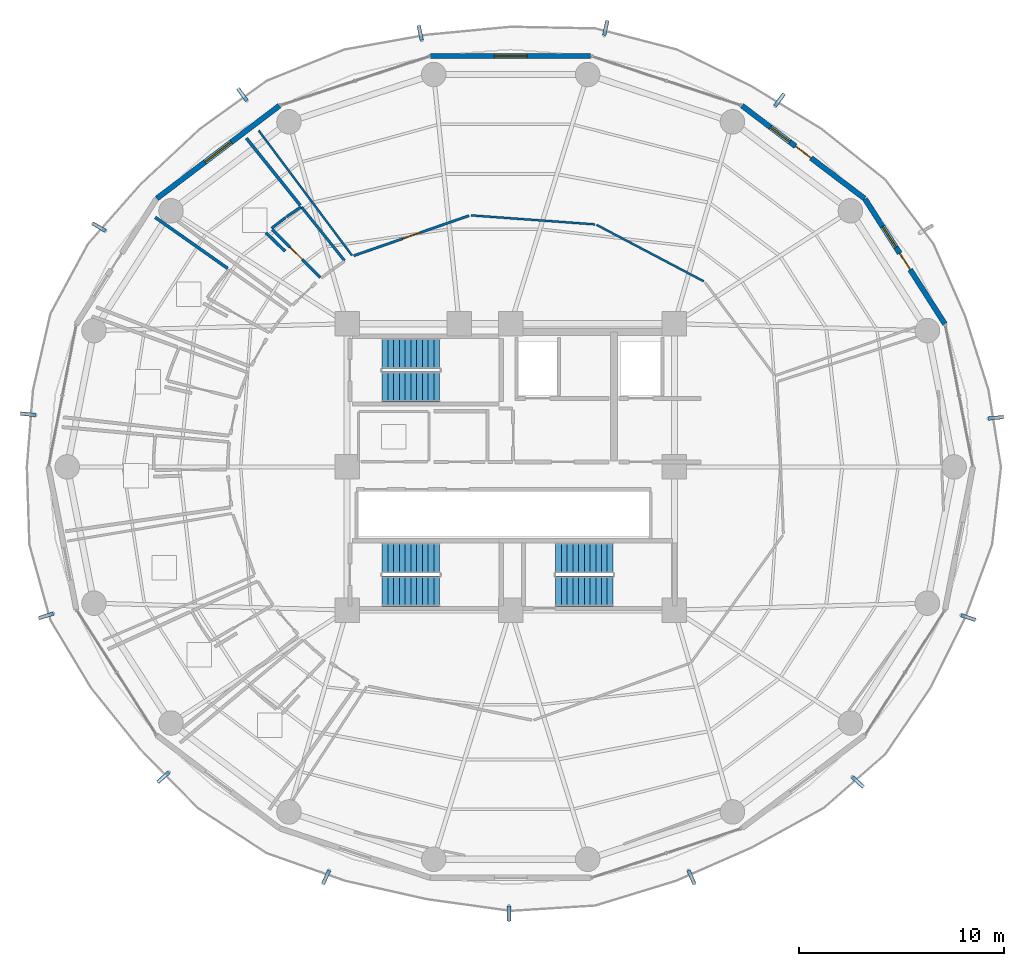
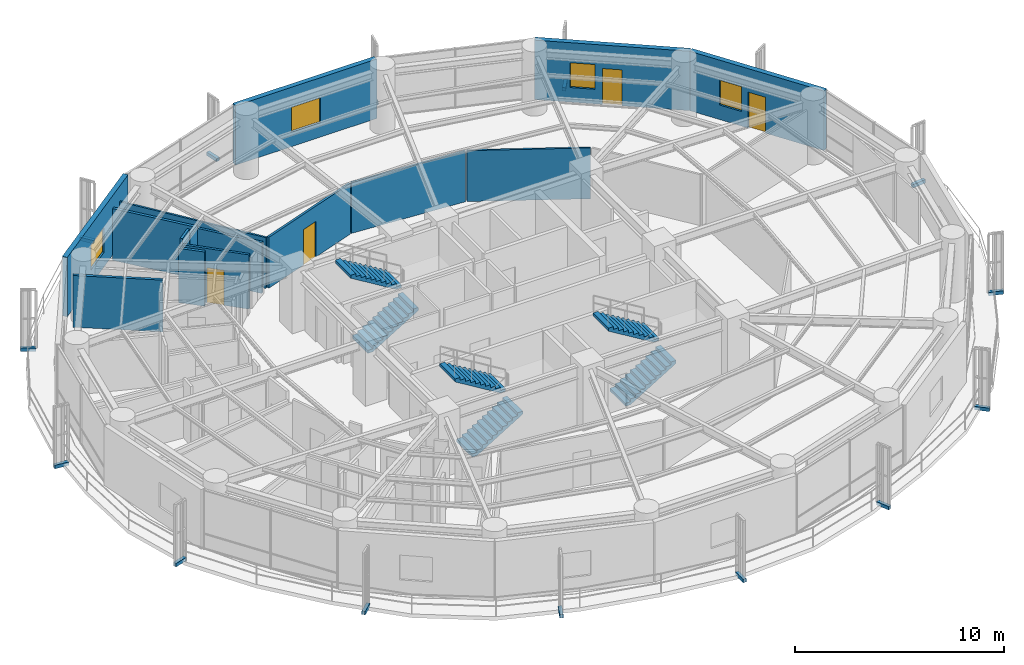
# One storey, part 24 of 28: 15 walls, 14 discrete accessories, 6 stair flights, 4 doors, 4 windows, 8 openings, 3 elements without a shape of their own.
"""IFC4 building model written with IfcOpenShell, lengths in metres."""

from ifc_helpers import new_model, si_unit, direction, frame, frame_2d, origin, origin_2d, place, context, subcontext, project, spatial, polyline, rectangle, outline, extrude, source, transform, mapped, material, layer, layer_set, type_object, element, fill, aggregate, save


model = new_model("IFC4")

# Units and contexts
model_context = context("Model", 3, precision=1e-05, world=origin(), true_north=direction((0.0, 1.0)))
body_context = subcontext(model_context, "Body", "Model", "MODEL_VIEW")
ifc_project = project(units=[si_unit("LENGTHUNIT", "METRE"), si_unit("AREAUNIT", "SQUARE_METRE"), si_unit("VOLUMEUNIT", "CUBIC_METRE"), si_unit("PLANEANGLEUNIT", "RADIAN"), si_unit("MASSUNIT", "GRAM", prefix="KILO")], contexts=[model_context])

# Site, building, storey
site_placement = place(None, origin())
site = spatial("IfcSite", under=ifc_project, at=site_placement, CompositionType="ELEMENT")
building_placement = place(site_placement, origin())
building = spatial("IfcBuilding", under=site, at=building_placement, Name="Kelanora Arch Commons", CompositionType="ELEMENT")
storey_placement = place(building_placement, frame((0.0, 0.0, 176.85009765625)))
storey = spatial("IfcBuildingStorey", under=building, at=storey_placement, Name="L45", CompositionType="ELEMENT", Elevation=176.85009765625)

# Walls
ifc_material_1 = material(Name="Autoclaved aerated concrete blockwork with fire plaster", Category="masonry")
ifc_layer_1 = layer(ifc_material_1, 0.14990234375)
ifc_layer_set_1 = layer_set([ifc_layer_1], Name="Autoclaved aerated concrete blockwork with fire plaster")
wall_type_1 = type_object("IfcWallType", Name="W-COMP-150", PredefinedType="PARTITIONING", material=ifc_layer_set_1)
wall_1_placement = place(storey_placement, frame((61.077880859375, 74.07275390625, 0.0), z_axis=(0.0, 0.0, 1.0), x_axis=(0.62540850869, -0.780297505608, 0.0)))
element("IfcWall", 1, at=wall_1_placement, inside=storey, type_object=wall_type_1, Name="Cluster Bedroom L45-01 Enclosure Partition 5", PredefinedType="PARTITIONING", context=body_context, shape_type="SweptSolid", body=[
    extrude(rectangle(XDim=4.21337890625, YDim=0.14990234375, at=frame_2d((2.106689453125, 0.0))), origin(), (0.0, 0.0, 1.0), 3.02490234375),
])
wall_2_placement = place(storey_placement, frame((62.038818359375, 69.44140625, 0.0), z_axis=(0.0, 0.0, 1.0), x_axis=(0.721428898705, -0.692488515511, 0.0)))
element("IfcWall", 2, at=wall_2_placement, inside=storey, type_object=wall_type_1, Name="Cluster Bedroom L45-01 Enclosure Partition 7", PredefinedType="PARTITIONING", context=body_context, shape_type="SweptSolid", body=[
    extrude(rectangle(XDim=1.290771484375, YDim=0.14990234375, at=frame_2d((0.6455078125, 0.0))), origin(), (0.0, 0.0, 1.0), 3.1748046875),
])
wall_3_placement = place(storey_placement, frame((56.61962890625, 70.200927734375, 0.0), z_axis=(0.0, 0.0, 1.0), x_axis=(0.817617957458, -0.575761127241, 0.0)))
element("IfcWall", 3, at=wall_3_placement, inside=storey, type_object=wall_type_1, Name="Cluster Bedroom L45-02 Enclosure Partition 5", PredefinedType="PARTITIONING", context=body_context, shape_type="SweptSolid", body=[
    extrude(rectangle(XDim=4.336669921875, YDim=0.14990234375, at=frame_2d((2.16845703125, 0.0))), origin(), (0.0, 0.0, 1.0), 3.02490234375),
])

# Wall, openings, door, window
ifc_material_2 = material(Name="Precast concrete C40/50 with terracotta rainscreen", Category="masonry")
ifc_layer_2 = layer(ifc_material_2, 0.260009765625)
ifc_layer_set_2 = layer_set([ifc_layer_2], Name="Precast concrete C40/50 with terracotta rainscreen")
wall_type_2 = type_object("IfcWallType", Name="W-EXT-TC", PredefinedType="SOLIDWALL", material=ifc_layer_set_2)
wall_4_placement = place(storey_placement, frame((95.22900390625, 64.98974609375, 0.0), z_axis=(0.0, 0.0, 1.0), x_axis=(-0.538801521808, 0.842432739213, 0.0)))
wall_4 = element("IfcWall", 4, at=wall_4_placement, inside=storey, type_object=wall_type_2, Name="Terracotta Exterior Wall L45-B01", PredefinedType="SOLIDWALL", context=body_context, shape_type="SweptSolid", body=[
    extrude(rectangle(XDim=7.25341796875, YDim=0.260009765625, at=frame_2d((3.626708984375, 0.0))), origin(), (0.0, 0.0, 1.0), 3.474853515625),
])
opening_1_placement = place(wall_4_placement, frame((3.152099609375, 0.0, 0.0)))
opening_1 = element("IfcOpeningElement", 5, at=opening_1_placement, cuts=wall_4, Name="Opening DB-01", PredefinedType="OPENING", context=body_context, shape_type="SweptSolid", body=[
    extrude(rectangle(XDim=0.949951171875, YDim=2.10009765625, at=frame_2d((0.47509765625, 1.050048828125))), frame((0.0, 0.14013671875, 0.0), z_axis=(0.0, -1.0, 0.0), x_axis=(1.0, 0.0, 0.0)), (0.0, 0.0, 1.0), 0.280029296875),
])
opening_2_placement = place(wall_4_placement, frame((4.451904296875, 0.0, 0.85009765625)))
opening_2 = element("IfcOpeningElement", 6, at=opening_2_placement, cuts=wall_4, Name="Opening WN-02", PredefinedType="OPENING", context=body_context, shape_type="SweptSolid", body=[
    extrude(rectangle(XDim=1.199951171875, YDim=1.449951171875, at=frame_2d((0.60009765625, 0.72509765625))), frame((0.0, 0.14013671875, 0.0), z_axis=(0.0, -1.0, 0.0), x_axis=(1.0, 0.0, 0.0)), (0.0, 0.0, 1.0), 0.280029296875),
])
ifc_material_3 = material(Name="Terracotta-aluminium thermally broken glazed balcony door", Category="masonry")
door_type_1 = type_object("IfcDoorType", Name="D-BAL-10", OperationType="NOTDEFINED", PredefinedType="DOOR", material=ifc_material_3)
door_1_placement = place(opening_1_placement, frame((0.949951171875, 0.0, 0.0), z_axis=(0.0, 0.0, 1.0), x_axis=(-1.0, 0.0, 0.0)))
door_1 = element("IfcDoor", 7, at=door_1_placement, inside=storey, type_object=door_type_1, Name="Wave Balcony Door L45-B01", OperationType="SINGLE_SWING_LEFT", OverallHeight=2.10009765625, OverallWidth=0.949951171875, PredefinedType="DOOR", context=body_context, shape_type="SweptSolid", body=[
    extrude(rectangle(XDim=0.949951171875, YDim=2.10009765625, at=frame_2d((0.47509765625, 1.050048828125))), frame((0.0, 0.02490234375, 0.0), z_axis=(0.0, -1.0, 0.0), x_axis=(1.0, 0.0, 0.0)), (0.0, 0.0, 1.0), 0.050048828125),
])
fill(opening_1, door_1)
ifc_material_4 = material(Name="Terracotta-anodised aluminium frame with operable awning sash", Category="masonry")
window_type_1 = type_object("IfcWindowType", Name="WIN-CL-12", PartitioningType="SINGLE_PANEL", PredefinedType="WINDOW", material=ifc_material_4)
window_1_placement = place(opening_2_placement, origin())
window_1 = element("IfcWindow", 8, at=window_1_placement, inside=storey, type_object=window_type_1, Name="Co-Living Operable Window L45-B01", OverallHeight=1.449951171875, OverallWidth=1.199951171875, PartitioningType="SINGLE_PANEL", PredefinedType="WINDOW", context=body_context, shape_type="SweptSolid", body=[
    extrude(rectangle(XDim=1.199951171875, YDim=1.449951171875, at=frame_2d((0.60009765625, 0.72509765625))), frame((0.0, 0.030029296875, 0.0), z_axis=(0.0, -1.0, 0.0), x_axis=(1.0, 0.0, 0.0)), (0.0, 0.0, 1.0), 0.06005859375),
])
fill(opening_2, window_1)

wall_5_placement = place(storey_placement, frame((91.300537109375, 71.1220703125, 0.0), z_axis=(0.0, 0.0, 1.0), x_axis=(-0.797163719609, 0.603763202042, 0.0)))
wall_5 = element("IfcWall", 9, at=wall_5_placement, inside=storey, type_object=wall_type_2, Name="Terracotta Exterior Wall L45-B02", PredefinedType="SOLIDWALL", context=body_context, shape_type="SweptSolid", body=[
    extrude(rectangle(XDim=7.51220703125, YDim=0.260009765625, at=frame_2d((3.756103515625, 0.0))), origin(), (0.0, 0.0, 1.0), 3.474853515625),
])
opening_3_placement = place(wall_5_placement, frame((3.281005859375, 0.0, 0.0)))
opening_3 = element("IfcOpeningElement", 10, at=opening_3_placement, cuts=wall_5, Name="Opening DB-01", PredefinedType="OPENING", context=body_context, shape_type="SweptSolid", body=[
    extrude(rectangle(XDim=0.949951171875, YDim=2.10009765625, at=frame_2d((0.47509765625, 1.050048828125))), frame((0.0, 0.14013671875, 0.0), z_axis=(0.0, -1.0, 0.0), x_axis=(1.0, 0.0, 0.0)), (0.0, 0.0, 1.0), 0.280029296875),
])
opening_4_placement = place(wall_5_placement, frame((4.5810546875, 0.0, 0.85009765625)))
opening_4 = element("IfcOpeningElement", 11, at=opening_4_placement, cuts=wall_5, Name="Opening WN-02", PredefinedType="OPENING", context=body_context, shape_type="SweptSolid", body=[
    extrude(rectangle(XDim=1.199951171875, YDim=1.449951171875, at=frame_2d((0.60009765625, 0.72509765625))), frame((0.0, 0.14013671875, 0.0), z_axis=(0.0, -1.0, 0.0), x_axis=(1.0, 0.0, 0.0)), (0.0, 0.0, 1.0), 0.280029296875),
])
door_2_placement = place(opening_3_placement, frame((0.949951171875, 0.0, 0.0), z_axis=(0.0, 0.0, 1.0), x_axis=(-1.0, 0.0, 0.0)))
door_2 = element("IfcDoor", 12, at=door_2_placement, inside=storey, type_object=door_type_1, Name="Wave Balcony Door L45-B02", OperationType="SINGLE_SWING_RIGHT", OverallHeight=2.10009765625, OverallWidth=0.949951171875, PredefinedType="DOOR", context=body_context, shape_type="SweptSolid", body=[
    extrude(rectangle(XDim=0.949951171875, YDim=2.10009765625, at=frame_2d((0.47509765625, 1.050048828125))), frame((0.0, 0.02490234375, 0.0), z_axis=(0.0, -1.0, 0.0), x_axis=(1.0, 0.0, 0.0)), (0.0, 0.0, 1.0), 0.050048828125),
])
fill(opening_3, door_2)
window_2_placement = place(opening_4_placement, origin())
window_2 = element("IfcWindow", 13, at=window_2_placement, inside=storey, type_object=window_type_1, Name="Co-Living Operable Window L45-B02", OverallHeight=1.449951171875, OverallWidth=1.199951171875, PartitioningType="SINGLE_PANEL", PredefinedType="WINDOW", context=body_context, shape_type="SweptSolid", body=[
    extrude(rectangle(XDim=1.199951171875, YDim=1.449951171875, at=frame_2d((0.60009765625, 0.72509765625))), frame((0.0, 0.030029296875, 0.0), z_axis=(0.0, -1.0, 0.0), x_axis=(1.0, 0.0, 0.0)), (0.0, 0.0, 1.0), 0.06005859375),
])
fill(opening_4, window_2)

# Wall, opening, window
wall_6_placement = place(storey_placement, frame((77.909423828125, 78.090087890625, 0.0), z_axis=(0.0, 0.0, 1.0), x_axis=(-1.0, 0.0, 0.0)))
wall_6 = element("IfcWall", 14, at=wall_6_placement, inside=storey, type_object=wall_type_2, Name="Terracotta Exterior Wall L45-B04", PredefinedType="SOLIDWALL", context=body_context, shape_type="SweptSolid", body=[
    extrude(rectangle(XDim=7.81884765625, YDim=0.260009765625, at=frame_2d((3.909423828125, 0.0))), origin(), (0.0, 0.0, 1.0), 3.474853515625),
])
opening_5_placement = place(wall_6_placement, frame((3.10888671875, 0.0, 0.85009765625)))
opening_5 = element("IfcOpeningElement", 15, at=opening_5_placement, cuts=wall_6, Name="Opening WN-01", PredefinedType="OPENING", context=body_context, shape_type="SweptSolid", body=[
    extrude(rectangle(XDim=1.60009765625, YDim=1.449951171875, at=frame_2d((0.800048828125, 0.72509765625))), frame((0.0, 0.14013671875, 0.0), z_axis=(0.0, -1.0, 0.0), x_axis=(1.0, 0.0, 0.0)), (0.0, 0.0, 1.0), 0.280029296875),
])
ifc_material_5 = material(Name="Terracotta-anodised aluminium frame with operable low-E glazing", Category="masonry")
window_type_2 = type_object("IfcWindowType", Name="WIN-CL-18", PartitioningType="DOUBLE_PANEL_VERTICAL", PredefinedType="WINDOW", material=ifc_material_5)
window_3_placement = place(opening_5_placement, origin())
window_3 = element("IfcWindow", 16, at=window_3_placement, inside=storey, type_object=window_type_2, Name="Co-Living Operable Window L45-B04", OverallHeight=1.449951171875, OverallWidth=1.60009765625, PartitioningType="SINGLE_PANEL", PredefinedType="WINDOW", context=body_context, shape_type="SweptSolid", body=[
    extrude(rectangle(XDim=1.60009765625, YDim=1.449951171875, at=frame_2d((0.800048828125, 0.72509765625))), frame((0.0, 0.030029296875, 0.0), z_axis=(0.0, -1.0, 0.0), x_axis=(1.0, 0.0, 0.0)), (0.0, 0.0, 1.0), 0.06005859375),
])
fill(opening_5, window_3)

wall_7_placement = place(storey_placement, frame((62.68798828125, 75.65771484375, 0.0), z_axis=(0.0, 0.0, 1.0), x_axis=(-0.797163719609, -0.603763202042, 0.0)))
wall_7 = element("IfcWall", 17, at=wall_7_placement, inside=storey, type_object=wall_type_2, Name="Terracotta Exterior Wall L45-B06", PredefinedType="SOLIDWALL", context=body_context, shape_type="SweptSolid", body=[
    extrude(rectangle(XDim=7.51220703125, YDim=0.260009765625, at=frame_2d((3.756103515625, 0.0))), origin(), (0.0, 0.0, 1.0), 3.474853515625),
])
opening_6_placement = place(wall_7_placement, frame((2.9560546875, 0.0, 0.85009765625)))
opening_6 = element("IfcOpeningElement", 18, at=opening_6_placement, cuts=wall_7, Name="Opening WN-01", PredefinedType="OPENING", context=body_context, shape_type="SweptSolid", body=[
    extrude(rectangle(XDim=1.60009765625, YDim=1.449951171875, at=frame_2d((0.800048828125, 0.72509765625))), frame((0.0, 0.14013671875, 0.0), z_axis=(0.0, -1.0, 0.0), x_axis=(1.0, 0.0, 0.0)), (0.0, 0.0, 1.0), 0.280029296875),
])
window_4_placement = place(opening_6_placement, origin())
window_4 = element("IfcWindow", 19, at=window_4_placement, inside=storey, type_object=window_type_2, Name="Co-Living Operable Window L45-B06", OverallHeight=1.449951171875, OverallWidth=1.60009765625, PartitioningType="SINGLE_PANEL", PredefinedType="WINDOW", context=body_context, shape_type="SweptSolid", body=[
    extrude(rectangle(XDim=1.60009765625, YDim=1.449951171875, at=frame_2d((0.800048828125, 0.72509765625))), frame((0.0, 0.030029296875, 0.0), z_axis=(0.0, -1.0, 0.0), x_axis=(1.0, 0.0, 0.0)), (0.0, 0.0, 1.0), 0.06005859375),
])
fill(opening_6, window_4)

# Walls
ifc_material_6 = material(Name="Lightweight fire-rated acoustic stud partition")
ifc_layer_3 = layer(ifc_material_6, 0.10009765625)
ifc_layer_set_3 = layer_set([ifc_layer_3], Name="Lightweight fire-rated acoustic stud partition")
wall_type_3 = type_object("IfcWallType", Name="W-PART-100", PredefinedType="PARTITIONING", material=ifc_layer_set_3)
wall_8_placement = place(storey_placement, frame((83.440673828125, 67.072509765625, 0.0), z_axis=(0.0, 0.0, 1.0), x_axis=(-0.884731495881, 0.466101040759, 0.0)))
element("IfcWall", 20, at=wall_8_placement, inside=storey, type_object=wall_type_3, Name="North-East Shared Cluster Kitchen L45 Enclosure Partition 2", PredefinedType="PARTITIONING", context=body_context, shape_type="SweptSolid", body=[
    extrude(rectangle(XDim=5.929931640625, YDim=0.10009765625, at=frame_2d((2.96484375, 0.0))), origin(), (0.0, 0.0, 1.0), 2.974853515625),
])
wall_9_placement = place(storey_placement, frame((78.119140625, 69.85791015625, 0.0), z_axis=(0.0, 0.0, 1.0), x_axis=(-0.997375895235, 0.072396986155, 0.0)))
element("IfcWall", 21, at=wall_9_placement, inside=storey, type_object=wall_type_3, Name="North-East Shared Cluster Kitchen L45 Enclosure Partition 3", PredefinedType="PARTITIONING", context=body_context, shape_type="SweptSolid", body=[
    extrude(rectangle(XDim=6.080078125, YDim=0.10009765625, at=frame_2d((3.0400390625, 0.0))), origin(), (0.0, 0.0, 1.0), 2.974853515625),
])
wall_10_placement = place(storey_placement, frame((66.2421875, 68.3369140625, 0.0), z_axis=(0.0, 0.0, 1.0), x_axis=(-0.598416617992, 0.801185091793, 0.0)))
element("IfcWall", 22, at=wall_10_placement, inside=storey, type_object=wall_type_3, Name="North-East Shared Cluster Kitchen L45 Enclosure Partition 5", PredefinedType="PARTITIONING", context=body_context, shape_type="SweptSolid", body=[
    extrude(rectangle(XDim=7.628662109375, YDim=0.10009765625, at=frame_2d((3.814453125, 0.0))), origin(), (0.0, 0.0, 1.0), 2.974853515625),
])

# Wall, opening, door
ifc_material_7 = material(Name="Acoustic twin-stud fire-rated gypsum partition")
ifc_layer_4 = layer(ifc_material_7, 0.1201171875)
ifc_layer_set_4 = layer_set([ifc_layer_4], Name="Acoustic twin-stud fire-rated gypsum partition")
wall_type_4 = type_object("IfcWallType", Name="W-PART-120", PredefinedType="PARTITIONING", material=ifc_layer_set_4)
wall_11_placement = place(storey_placement, frame((71.958251953125, 70.28125, 0.0), z_axis=(0.0, 0.0, 1.0), x_axis=(-0.944685464341, -0.327977702692, 0.0)))
wall_11 = element("IfcWall", 23, at=wall_11_placement, inside=storey, type_object=wall_type_4, Name="North-East Shared Cluster Kitchen L45 Entry Partition", PredefinedType="PARTITIONING", context=body_context, shape_type="SweptSolid", body=[
    extrude(rectangle(XDim=5.965576171875, YDim=0.1201171875, at=frame_2d((2.98291015625, 0.0))), origin(), (0.0, 0.0, 1.0), 2.974853515625),
])
opening_7_placement = place(wall_11_placement, frame((2.532958984375, 0.0, 0.0)))
opening_7 = element("IfcOpeningElement", 24, at=opening_7_placement, cuts=wall_11, Name="Opening D-RM1", PredefinedType="OPENING", context=body_context, shape_type="SweptSolid", body=[
    extrude(rectangle(XDim=0.89990234375, YDim=2.080078125, at=frame_2d((0.449951171875, 1.0400390625))), frame((0.0, 0.070068359375, 0.0), z_axis=(0.0, -1.0, 0.0), x_axis=(1.0, 0.0, 0.0)), (0.0, 0.0, 1.0), 0.14013671875),
])
ifc_material_8 = material(Name="Acoustic fire-rated timber study and lounge door", Category="wood")
door_type_2 = type_object("IfcDoorType", Name="D-ROOM-90", OperationType="NOTDEFINED", PredefinedType="DOOR", material=ifc_material_8)
door_3_placement = place(opening_7_placement, origin())
door_3 = element("IfcDoor", 25, at=door_3_placement, inside=storey, type_object=door_type_2, Name="North-East Shared Cluster Kitchen L45 Door", OperationType="SINGLE_SWING_LEFT", OverallHeight=2.080078125, OverallWidth=0.89990234375, PredefinedType="DOOR", context=body_context, shape_type="SweptSolid", body=[
    extrude(rectangle(XDim=0.89990234375, YDim=2.080078125, at=frame_2d((0.449951171875, 1.0400390625))), frame((0.0, 0.02490234375, 0.0), z_axis=(0.0, -1.0, 0.0), x_axis=(1.0, 0.0, 0.0)), (0.0, 0.0, 1.0), 0.050048828125),
])
fill(opening_7, door_3)

ifc_material_9 = material(Name="Moisture-resistant fire-rated cement-board plumbing wall")
ifc_layer_5 = layer(ifc_material_9, 0.1298828125)
ifc_layer_set_5 = layer_set([ifc_layer_5], Name="Moisture-resistant fire-rated cement-board plumbing wall")
wall_type_5 = type_object("IfcWallType", Name="W-WET-120", PredefinedType="PLUMBINGWALL", material=ifc_layer_set_5)
wall_12_placement = place(storey_placement, frame((64.6865234375, 67.266357421875, 0.0), z_axis=(0.0, 0.0, 1.0), x_axis=(-0.707694933746, 0.706518139011, 0.0)))
wall_12 = element("IfcWall", 26, at=wall_12_placement, inside=storey, type_object=wall_type_5, Name="En-Suite Shower WC L45-01 Entry Partition", PredefinedType="PLUMBINGWALL", context=body_context, shape_type="SweptSolid", body=[
    extrude(rectangle(XDim=3.3193359375, YDim=0.1298828125, at=frame_2d((1.65966796875, 0.0))), origin(), (0.0, 0.0, 1.0), 3.1748046875),
])
opening_8_placement = place(wall_12_placement, frame((1.22998046875, 0.0, 0.0)))
opening_8 = element("IfcOpeningElement", 27, at=opening_8_placement, cuts=wall_12, Name="Opening D-BT1", PredefinedType="OPENING", context=body_context, shape_type="SweptSolid", body=[
    extrude(rectangle(XDim=0.860107421875, YDim=2.050048828125, at=frame_2d((0.43017578125, 1.02490234375))), frame((0.0, 0.074951171875, 0.0), z_axis=(0.0, -1.0, 0.0), x_axis=(1.0, 0.0, 0.0)), (0.0, 0.0, 1.0), 0.14990234375),
])
ifc_material_10 = material(Name="Moisture-sealed fire-rated accessible bathroom door")
door_type_3 = type_object("IfcDoorType", Name="D-BATH-85", OperationType="NOTDEFINED", PredefinedType="DOOR", material=ifc_material_10)
door_4_placement = place(opening_8_placement, origin())
door_4 = element("IfcDoor", 28, at=door_4_placement, inside=storey, type_object=door_type_3, Name="En-Suite Shower WC L45-01 Door", OperationType="SINGLE_SWING_RIGHT", OverallHeight=2.050048828125, OverallWidth=0.860107421875, PredefinedType="DOOR", context=body_context, shape_type="SweptSolid", body=[
    extrude(rectangle(XDim=0.860107421875, YDim=2.050048828125, at=frame_2d((0.43017578125, 1.02490234375))), frame((0.0, 0.02490234375, 0.0), z_axis=(0.0, -1.0, 0.0), x_axis=(1.0, 0.0, 0.0)), (0.0, 0.0, 1.0), 0.050048828125),
])
fill(opening_8, door_4)

# Walls
wall_13_placement = place(storey_placement, frame((62.310791015625, 69.666259765625, 0.0), z_axis=(0.0, 0.0, 1.0), x_axis=(0.792382565467, 0.610024483069, 0.0)))
element("IfcWall", 29, at=wall_13_placement, inside=storey, type_object=wall_type_5, Name="En-Suite Shower WC L45-01 Enclosure Partition 4", PredefinedType="PLUMBINGWALL", context=body_context, shape_type="SweptSolid", body=[
    extrude(rectangle(XDim=0.86474609375, YDim=0.1298828125, at=frame_2d((0.432373046875, 0.0))), origin(), (0.0, 0.0, 1.0), 3.47998046875),
])
wall_14_placement = place(storey_placement, frame((63.028564453125, 70.21728515625, 0.0), z_axis=(0.0, 0.0, 1.0), x_axis=(0.823353055732, 0.567529510789, 0.0)))
element("IfcWall", 30, at=wall_14_placement, inside=storey, type_object=wall_type_5, Name="En-Suite Shower WC L45-01 Enclosure Partition 5", PredefinedType="PLUMBINGWALL", context=body_context, shape_type="SweptSolid", body=[
    extrude(rectangle(XDim=0.869384765625, YDim=0.1298828125, at=frame_2d((0.4345703125, 0.0))), origin(), (0.0, 0.0, 1.0), 3.1748046875),
])
wall_15_placement = place(storey_placement, frame((63.7734375, 70.706298828125, 0.0), z_axis=(0.0, 0.0, 1.0), x_axis=(0.625916574892, -0.779890018704, 0.0)))
element("IfcWall", 31, at=wall_15_placement, inside=storey, type_object=wall_type_5, Name="En-Suite Shower WC L45-01 Enclosure Partition 6", PredefinedType="PLUMBINGWALL", context=body_context, shape_type="SweptSolid", body=[
    extrude(rectangle(XDim=3.361572265625, YDim=0.1298828125, at=frame_2d((1.6806640625, 0.0))), origin(), (0.0, 0.0, 1.0), 2.974853515625),
])

# Stair, stair flights
ifc_material_11 = material(Name="Concrete C40/50", Category="concrete")
stair_type = type_object("IfcStairType", Name="STR-DL-375", PredefinedType="HALF_TURN_STAIR", material=ifc_material_11)
stair_1_placement = place(storey_placement, origin())
stair_1 = element("IfcStair", 32, at=stair_1_placement, inside=storey, type_object=stair_type, Name="L45 ST-T1", PredefinedType="HALF_TURN_STAIR")
stair_flight_type = type_object("IfcStairFlightType", Name="FLT-DL-375", PredefinedType="STRAIGHT", material=ifc_material_11)
stair_flight_1_placement = place(storey_placement, frame((67.719970703125, 61.919921875, 0.0), z_axis=(0.0, 0.0, 1.0), x_axis=(1.0, 0.0, 0.0)))
stair_flight_1 = element("IfcStairFlight", 33, at=stair_flight_1_placement, type_object=stair_flight_type, Name="ST-T1 flight 1", NumberOfRisers=11, NumberOfTreads=10, PredefinedType="STRAIGHT", RiserHeight=0.170454545, TreadLength=0.28, context=body_context, shape_type="SweptSolid", body=[
    extrude(outline(polyline([(0.0, 0.0), (0.0, 0.17041015625), (0.280029296875, 0.17041015625), (0.280029296875, 0.3408203125), (0.56005859375, 0.3408203125), (0.56005859375, 0.511474609375), (0.840087890625, 0.511474609375), (0.840087890625, 0.681884765625), (1.1201171875, 0.681884765625), (1.1201171875, 0.852294921875), (1.39990234375, 0.852294921875), (1.39990234375, 1.022705078125), (1.679931640625, 1.022705078125), (1.679931640625, 1.193115234375), (1.9599609375, 1.193115234375), (1.9599609375, 1.363525390625), (2.239990234375, 1.363525390625), (2.239990234375, 1.5341796875), (2.52001953125, 1.5341796875), (2.52001953125, 1.70458984375), (2.800048828125, 1.70458984375), (2.800048828125, 1.875), (2.800048828125, 1.529052734375), (0.288330078125, 0.0), (0.0, 0.0)])), frame((0.0, 0.739990234375, 0.0), z_axis=(0.0, -1.0, 0.0), x_axis=(1.0, 0.0, 0.0)), (0.0, 0.0, 1.0), 1.47998046875),
])
stair_flight_2_placement = place(storey_placement, frame((70.52001953125, 63.550048828125, 1.875), z_axis=(0.0, 0.0, 1.0), x_axis=(-1.0, 0.0, 0.0)))
stair_flight_2 = element("IfcStairFlight", 34, at=stair_flight_2_placement, type_object=stair_flight_type, Name="ST-T1 flight 2", NumberOfRisers=11, NumberOfTreads=10, PredefinedType="STRAIGHT", RiserHeight=0.170454545, TreadLength=0.28, context=body_context, shape_type="SweptSolid", body=[
    extrude(outline(polyline([(0.0, 0.0), (0.0, 0.17041015625), (0.280029296875, 0.17041015625), (0.280029296875, 0.3408203125), (0.56005859375, 0.3408203125), (0.56005859375, 0.511474609375), (0.840087890625, 0.511474609375), (0.840087890625, 0.681884765625), (1.1201171875, 0.681884765625), (1.1201171875, 0.852294921875), (1.39990234375, 0.852294921875), (1.39990234375, 1.022705078125), (1.679931640625, 1.022705078125), (1.679931640625, 1.193115234375), (1.9599609375, 1.193115234375), (1.9599609375, 1.363525390625), (2.239990234375, 1.363525390625), (2.239990234375, 1.5341796875), (2.52001953125, 1.5341796875), (2.52001953125, 1.70458984375), (2.800048828125, 1.70458984375), (2.800048828125, 1.875), (2.800048828125, 1.529052734375), (0.288330078125, 0.0), (0.0, 0.0)])), frame((0.0, 0.739990234375, 0.0), z_axis=(0.0, -1.0, 0.0), x_axis=(1.0, 0.0, 0.0)), (0.0, 0.0, 1.0), 1.47998046875),
])
aggregate(stair_1, [stair_flight_1, stair_flight_2])

stair_2_placement = place(storey_placement, origin())
stair_2 = element("IfcStair", 35, at=stair_2_placement, inside=storey, type_object=stair_type, Name="L45 ST-T2", PredefinedType="HALF_TURN_STAIR")
stair_flight_3_placement = place(storey_placement, frame((76.199951171875, 51.919921875, 0.0), z_axis=(0.0, 0.0, 1.0), x_axis=(1.0, 0.0, 0.0)))
stair_flight_3 = element("IfcStairFlight", 36, at=stair_flight_3_placement, type_object=stair_flight_type, Name="ST-T2 flight 1", NumberOfRisers=11, NumberOfTreads=10, PredefinedType="STRAIGHT", RiserHeight=0.170454545, TreadLength=0.28, context=body_context, shape_type="SweptSolid", body=[
    extrude(outline(polyline([(0.0, 0.0), (0.0, 0.17041015625), (0.280029296875, 0.17041015625), (0.280029296875, 0.3408203125), (0.56005859375, 0.3408203125), (0.56005859375, 0.511474609375), (0.840087890625, 0.511474609375), (0.840087890625, 0.681884765625), (1.1201171875, 0.681884765625), (1.1201171875, 0.852294921875), (1.39990234375, 0.852294921875), (1.39990234375, 1.022705078125), (1.679931640625, 1.022705078125), (1.679931640625, 1.193115234375), (1.9599609375, 1.193115234375), (1.9599609375, 1.363525390625), (2.239990234375, 1.363525390625), (2.239990234375, 1.5341796875), (2.52001953125, 1.5341796875), (2.52001953125, 1.70458984375), (2.800048828125, 1.70458984375), (2.800048828125, 1.875), (2.800048828125, 1.529052734375), (0.288330078125, 0.0), (0.0, 0.0)])), frame((0.0, 0.739990234375, 0.0), z_axis=(0.0, -1.0, 0.0), x_axis=(1.0, 0.0, 0.0)), (0.0, 0.0, 1.0), 1.47998046875),
])
stair_flight_4_placement = place(storey_placement, frame((79.0, 53.550048828125, 1.875), z_axis=(0.0, 0.0, 1.0), x_axis=(-1.0, 0.0, 0.0)))
stair_flight_4 = element("IfcStairFlight", 37, at=stair_flight_4_placement, type_object=stair_flight_type, Name="ST-T2 flight 2", NumberOfRisers=11, NumberOfTreads=10, PredefinedType="STRAIGHT", RiserHeight=0.170454545, TreadLength=0.28, context=body_context, shape_type="SweptSolid", body=[
    extrude(outline(polyline([(0.0, 0.0), (0.0, 0.17041015625), (0.280029296875, 0.17041015625), (0.280029296875, 0.3408203125), (0.56005859375, 0.3408203125), (0.56005859375, 0.511474609375), (0.840087890625, 0.511474609375), (0.840087890625, 0.681884765625), (1.1201171875, 0.681884765625), (1.1201171875, 0.852294921875), (1.39990234375, 0.852294921875), (1.39990234375, 1.022705078125), (1.679931640625, 1.022705078125), (1.679931640625, 1.193115234375), (1.9599609375, 1.193115234375), (1.9599609375, 1.363525390625), (2.239990234375, 1.363525390625), (2.239990234375, 1.5341796875), (2.52001953125, 1.5341796875), (2.52001953125, 1.70458984375), (2.800048828125, 1.70458984375), (2.800048828125, 1.875), (2.800048828125, 1.529052734375), (0.288330078125, 0.0), (0.0, 0.0)])), frame((0.0, 0.739990234375, 0.0), z_axis=(0.0, -1.0, 0.0), x_axis=(1.0, 0.0, 0.0)), (0.0, 0.0, 1.0), 1.47998046875),
])
aggregate(stair_2, [stair_flight_3, stair_flight_4])

stair_3_placement = place(storey_placement, origin())
stair_3 = element("IfcStair", 38, at=stair_3_placement, inside=storey, type_object=stair_type, Name="L45 ST-T3", PredefinedType="HALF_TURN_STAIR")
stair_flight_5_placement = place(storey_placement, frame((67.719970703125, 51.919921875, 0.0), z_axis=(0.0, 0.0, 1.0), x_axis=(1.0, 0.0, 0.0)))
stair_flight_5 = element("IfcStairFlight", 39, at=stair_flight_5_placement, type_object=stair_flight_type, Name="ST-T3 flight 1", NumberOfRisers=11, NumberOfTreads=10, PredefinedType="STRAIGHT", RiserHeight=0.170454545, TreadLength=0.28, context=body_context, shape_type="SweptSolid", body=[
    extrude(outline(polyline([(0.0, 0.0), (0.0, 0.17041015625), (0.280029296875, 0.17041015625), (0.280029296875, 0.3408203125), (0.56005859375, 0.3408203125), (0.56005859375, 0.511474609375), (0.840087890625, 0.511474609375), (0.840087890625, 0.681884765625), (1.1201171875, 0.681884765625), (1.1201171875, 0.852294921875), (1.39990234375, 0.852294921875), (1.39990234375, 1.022705078125), (1.679931640625, 1.022705078125), (1.679931640625, 1.193115234375), (1.9599609375, 1.193115234375), (1.9599609375, 1.363525390625), (2.239990234375, 1.363525390625), (2.239990234375, 1.5341796875), (2.52001953125, 1.5341796875), (2.52001953125, 1.70458984375), (2.800048828125, 1.70458984375), (2.800048828125, 1.875), (2.800048828125, 1.529052734375), (0.288330078125, 0.0), (0.0, 0.0)])), frame((0.0, 0.739990234375, 0.0), z_axis=(0.0, -1.0, 0.0), x_axis=(1.0, 0.0, 0.0)), (0.0, 0.0, 1.0), 1.47998046875),
])
stair_flight_6_placement = place(storey_placement, frame((70.52001953125, 53.550048828125, 1.875), z_axis=(0.0, 0.0, 1.0), x_axis=(-1.0, 0.0, 0.0)))
stair_flight_6 = element("IfcStairFlight", 40, at=stair_flight_6_placement, type_object=stair_flight_type, Name="ST-T3 flight 2", NumberOfRisers=11, NumberOfTreads=10, PredefinedType="STRAIGHT", RiserHeight=0.170454545, TreadLength=0.28, context=body_context, shape_type="SweptSolid", body=[
    extrude(outline(polyline([(0.0, 0.0), (0.0, 0.17041015625), (0.280029296875, 0.17041015625), (0.280029296875, 0.3408203125), (0.56005859375, 0.3408203125), (0.56005859375, 0.511474609375), (0.840087890625, 0.511474609375), (0.840087890625, 0.681884765625), (1.1201171875, 0.681884765625), (1.1201171875, 0.852294921875), (1.39990234375, 0.852294921875), (1.39990234375, 1.022705078125), (1.679931640625, 1.022705078125), (1.679931640625, 1.193115234375), (1.9599609375, 1.193115234375), (1.9599609375, 1.363525390625), (2.239990234375, 1.363525390625), (2.239990234375, 1.5341796875), (2.52001953125, 1.5341796875), (2.52001953125, 1.70458984375), (2.800048828125, 1.70458984375), (2.800048828125, 1.875), (2.800048828125, 1.529052734375), (0.288330078125, 0.0), (0.0, 0.0)])), frame((0.0, 0.739990234375, 0.0), z_axis=(0.0, -1.0, 0.0), x_axis=(1.0, 0.0, 0.0)), (0.0, 0.0, 1.0), 1.47998046875),
])
aggregate(stair_3, [stair_flight_5, stair_flight_6])

# Discrete accessories
ifc_material_12 = material(Name="Stainless steel 316 marine fin bracket", Category="steel")
discrete_accessory_type = type_object("IfcDiscreteAccessoryType", Name="ACC-FIN-BRK", PredefinedType="BRACKET", material=ifc_material_12)
shared_shape = source(origin(), body_context, "Body", "SweptSolid", [
    extrude(rectangle(XDim=0.735107421875, YDim=0.179931640625, at=origin_2d()), origin(), (0.0, 0.0, 1.0), 0.199951171875),
])
for number, where, z_axis, x_axis, name in (
    (41, (96.37353515625, 50.634033203125, -0.16015625), (0.0, 0.0, 1.0), (0.949862968197, -0.312666502279, 0.0), "Sweeping Fin Cantilever Spine Bracket L45-00"),
    (42, (97.724853515625, 60.400390625, -0.16015625), (0.0, 0.0, 1.0), (0.994915923519, 0.100709012153, 0.0), "Sweeping Fin Cantilever Spine Bracket L45-01"),
    (43, (87.1455078125, 75.946044921875, -0.16015625), (0.0, 0.0, 1.0), (0.59088731392, 0.806754102716, 0.0), "Sweeping Fin Cantilever Spine Bracket L45-03"),
    (44, (78.648681640625, 79.458984375, -0.16015625), (0.0, 0.0, 1.0), (0.211665966084, 0.97734206847, 0.0), "Sweeping Fin Cantilever Spine Bracket L45-04"),
    (45, (69.57568359375, 79.220703125, -0.16015625), (0.0, 0.0, 1.0), (-0.204154350213, 0.978938711712, 0.0), "Sweeping Fin Cantilever Spine Bracket L45-05"),
    (46, (60.8818359375, 76.2041015625, -0.16015625), (0.0, 0.0, 1.0), (-0.584674524674, 0.811267958321, 0.0), "Sweeping Fin Cantilever Spine Bracket L45-06"),
    (47, (53.868408203125, 69.727783203125, -0.16015625), (0.0, 0.0, 1.0), (-0.864099162217, 0.503321604797, 0.0), "Sweeping Fin Cantilever Spine Bracket L45-07"),
    (48, (50.402587890625, 60.572998046875, -0.16015625), (0.0, 0.0, 1.0), (-0.994113204519, 0.108346373271, 0.0), "Sweeping Fin Cantilever Spine Bracket L45-08"),
    (49, (51.286376953125, 50.717529296875, -0.16015625), (0.0, 0.0, 1.0), (-0.952236042525, -0.30536293049, 0.0), "Sweeping Fin Cantilever Spine Bracket L45-09"),
    (50, (57.02001953125, 42.83056640625, -0.16015625), (0.0, 0.0, 1.0), (-0.745708617985, -0.666272209433, 0.0), "Sweeping Fin Cantilever Spine Bracket L45-10"),
    (51, (64.976318359375, 37.943115234375, -0.16015625), (0.0, 0.0, 1.0), (-0.410241398845, -0.911976970473, 0.0), "Sweeping Fin Cantilever Spine Bracket L45-11"),
    (52, (73.9150390625, 36.16455078125, -0.16015625), (0.0, 0.0, 1.0), (-0.003839714919, -0.999992628267, 0.0), "Sweeping Fin Cantilever Spine Bracket L45-12"),
    (53, (82.838134765625, 37.939697265625, -0.16015625), (0.0, 0.0, 1.0), (0.403225890599, -0.915100475986, 0.0), "Sweeping Fin Cantilever Spine Bracket L45-13"),
    (54, (90.9755859375, 42.594970703125, -0.16015625), (0.0, 0.0, 1.0), (0.74057007644, -0.671979137981, 0.0), "Sweeping Fin Cantilever Spine Bracket L45-14"),
):
    element("IfcDiscreteAccessory", number, at=place(storey_placement, frame(where, z_axis=z_axis, x_axis=x_axis)), inside=storey, type_object=discrete_accessory_type, Name=name, PredefinedType="BRACKET", context=body_context, shape_type="MappedRepresentation", body=[
        mapped(shared_shape, transform((0.0, 0.0, 0.0), scale=1.0)),
    ])

save(model, "model.ifc")
